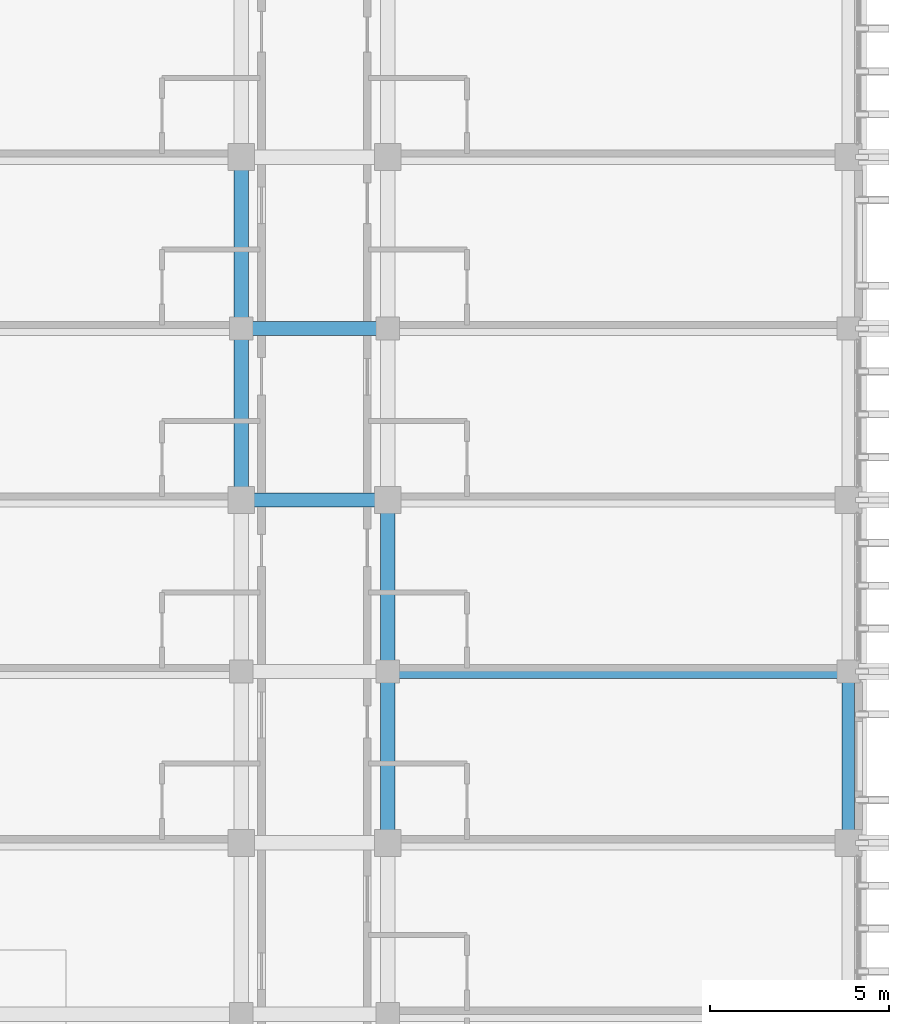
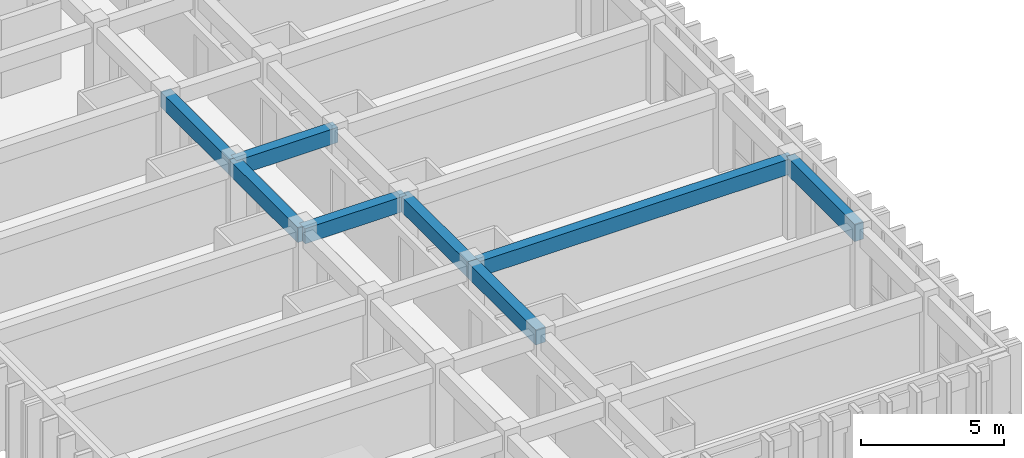
# One storey, part 13 of 64: 8 beams.
"""IFC4 building model written with IfcOpenShell, lengths in metres."""

from ifc_helpers import new_model, si_unit, direction, frame, origin, origin_2d, place, context, subcontext, project, spatial, rectangle, extrude, material, material_profile, profile_set, type_object, element, save


model = new_model("IFC4")

# Units and contexts
model_context = context("Model", 3, precision=1e-05, world=origin(), true_north=direction((0.0, 1.0)))
body_context = subcontext(model_context, "Body", "Model", "MODEL_VIEW")
ifc_project = project(units=[si_unit("LENGTHUNIT", "METRE"), si_unit("AREAUNIT", "SQUARE_METRE"), si_unit("VOLUMEUNIT", "CUBIC_METRE"), si_unit("PLANEANGLEUNIT", "RADIAN"), si_unit("MASSUNIT", "GRAM", prefix="KILO")], contexts=[model_context])

# Site, building, storey
site_placement = place(None, origin())
site = spatial("IfcSite", under=ifc_project, at=site_placement, CompositionType="ELEMENT")
building_placement = place(site_placement, origin())
building = spatial("IfcBuilding", under=site, at=building_placement, Name="Nakhvara Creek Congress Hotel", CompositionType="ELEMENT")
storey_placement = place(building_placement, frame((0.0, 0.0, 28.199951171875)))
storey = spatial("IfcBuildingStorey", under=building, at=storey_placement, Name="L06", CompositionType="ELEMENT", Elevation=28.199951171875)

# Beams
ifc_material = material(Name="Concrete C40/50", Category="concrete")
ifc_material_profile_1 = material_profile(ifc_material, rectangle(XDim=0.39990234375, YDim=0.64990234375, at=origin_2d()), Name="RC-BM 400x650", Category="LoadBearing")
ifc_profile_set_1 = profile_set([ifc_material_profile_1], Name="Concrete C40/50")
beam_type_1 = type_object("IfcBeamType", Name="BM-RC-400X650", PredefinedType="BEAM", material=ifc_profile_set_1)
beam_1_placement = place(storey_placement, frame((162.35009765625, 57.60009765625, 3.01513671875), z_axis=(1.0, 0.0, 0.0), x_axis=(0.0, 1.0, 0.0)))
element("IfcBeam", 1, at=beam_1_placement, inside=storey, type_object=beam_type_1, Name="Beam B06-L06-2224", PredefinedType="BEAM", context=body_context, shape_type="SweptSolid", body=[
    extrude(rectangle(XDim=0.39990234375, YDim=0.64990234375, at=origin_2d()), origin(), (0.0, 0.0, 1.0), 4.099853515625),
])
beam_2_placement = place(storey_placement, frame((162.35009765625, 57.60009765625, 3.01513671875), z_axis=(0.0, 1.0, 0.0), x_axis=(-1.0, 0.0, 0.0)))
element("IfcBeam", 2, at=beam_2_placement, inside=storey, type_object=beam_type_1, Name="Beam B06-L06-2226", PredefinedType="BEAM", context=body_context, shape_type="SweptSolid", body=[
    extrude(rectangle(XDim=0.39990234375, YDim=0.64990234375, at=origin_2d()), origin(), (0.0, 0.0, 1.0), 4.7998046875),
])
for number, where, z_axis, x_axis, name in (
    (3, (162.35009765625, 62.39990234375, 3.01513671875), (0.0, 1.0, 0.0), (-1.0, 0.0, 0.0), "Beam B06-L06-2228"),
    (4, (166.449951171875, 48.0, 3.01513671875), (0.0, 1.0, 0.0), (-1.0, 0.0, 0.0), "Beam B06-L06-2251"),
    (5, (166.449951171875, 52.800048828125, 3.01513671875), (0.0, 1.0, 0.0), (-1.0, 0.0, 0.0), "Beam B06-L06-2253"),
):
    element("IfcBeam", number, at=place(storey_placement, frame(where, z_axis=z_axis, x_axis=x_axis)), inside=storey, type_object=beam_type_1, Name=name, PredefinedType="BEAM", context=body_context, shape_type="SweptSolid", body=[
        extrude(rectangle(XDim=0.39990234375, YDim=0.64990234375, at=origin_2d()), origin(), (0.0, 0.0, 1.0), 4.800048828125),
    ])
beam_3_placement = place(storey_placement, frame((162.35009765625, 62.39990234375, 3.01513671875), z_axis=(1.0, 0.0, 0.0), x_axis=(0.0, 1.0, 0.0)))
element("IfcBeam", 6, at=beam_3_placement, inside=storey, type_object=beam_type_1, Name="Beam B06-L06-2302", PredefinedType="BEAM", context=body_context, shape_type="SweptSolid", body=[
    extrude(rectangle(XDim=0.39990234375, YDim=0.64990234375, at=origin_2d()), origin(), (0.0, 0.0, 1.0), 4.099853515625),
])
beam_4_placement = place(storey_placement, frame((166.449951171875, 52.800048828125, 3.01513671875), z_axis=(1.0, 0.0, 0.0), x_axis=(0.0, 1.0, 0.0)))
element("IfcBeam", 7, at=beam_4_placement, inside=storey, type_object=beam_type_1, Name="Beam B06-L06-2310", PredefinedType="BEAM", context=body_context, shape_type="SweptSolid", body=[
    extrude(rectangle(XDim=0.39990234375, YDim=0.64990234375, at=origin_2d()), origin(), (0.0, 0.0, 1.0), 12.900146484375),
])
ifc_material_profile_2 = material_profile(ifc_material, rectangle(XDim=0.35009765625, YDim=0.75, at=origin_2d()), Name="RC-SPANDREL 350x750", Category="LoadBearing")
ifc_profile_set_2 = profile_set([ifc_material_profile_2], Name="Concrete C40/50")
beam_type_2 = type_object("IfcBeamType", Name="BM-SPN-350X750", PredefinedType="SPANDREL", material=ifc_profile_set_2)
beam_5_placement = place(storey_placement, frame((179.35009765625, 48.0, 2.965087890625), z_axis=(0.0, 1.0, 0.0), x_axis=(-1.0, 0.0, 0.0)))
element("IfcBeam", 8, at=beam_5_placement, inside=storey, type_object=beam_type_2, Name="Beam SP1-L06-2277", PredefinedType="SPANDREL", context=body_context, shape_type="SweptSolid", body=[
    extrude(rectangle(XDim=0.35009765625, YDim=0.75, at=origin_2d()), origin(), (0.0, 0.0, 1.0), 4.800048828125),
])

save(model, "model.ifc")
